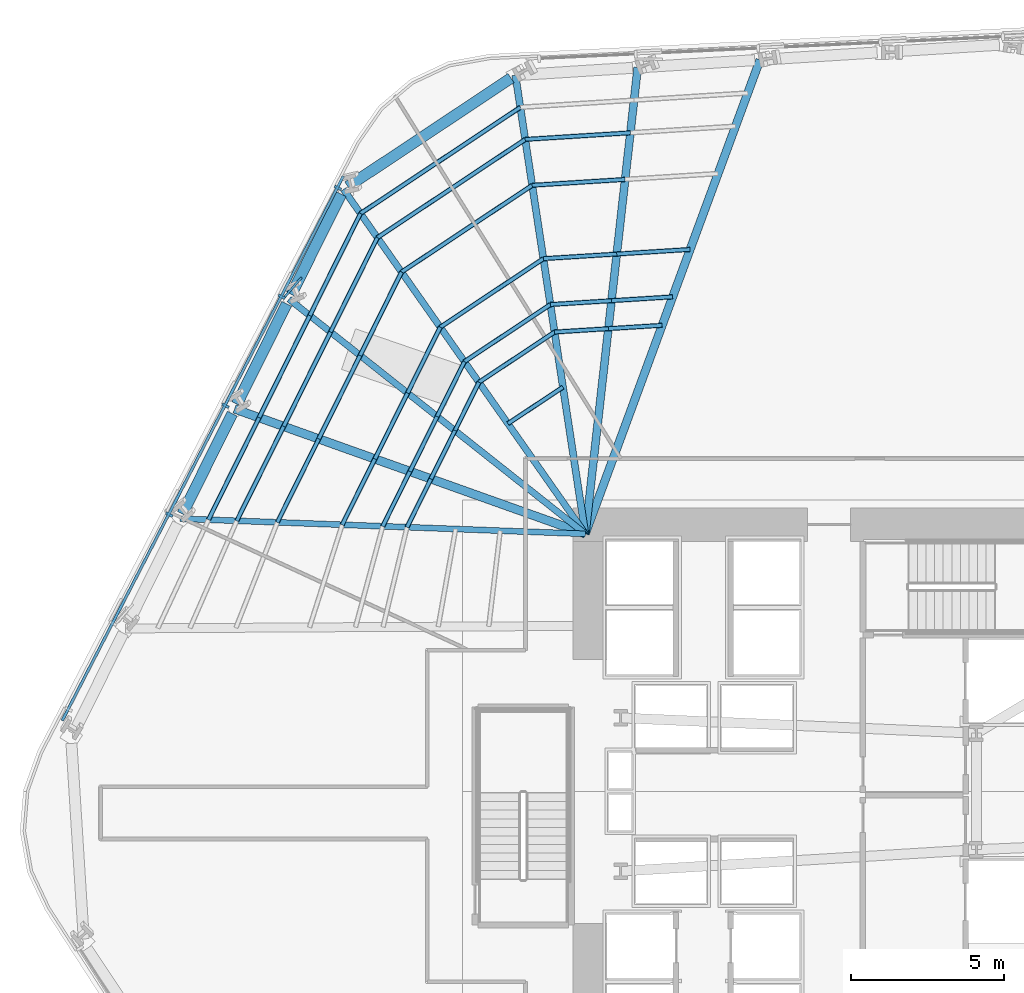
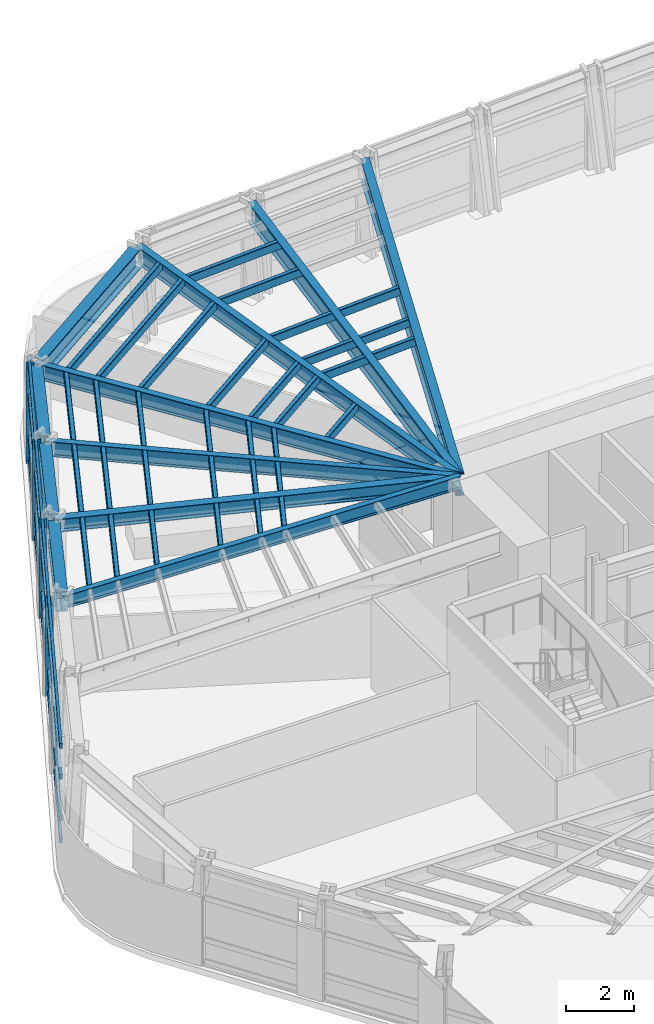
# One storey, part 5 of 15: 42 members, 11 beams, 1 element without a shape of its own.
"""IFC4 building model written with IfcOpenShell, lengths in metres."""

from ifc_helpers import new_model, si_unit, direction, frame, origin, origin_2d, place, context, subcontext, project, spatial, rectangle, hollow_rectangle, i_section, extrude, material, layer, layer_set, material_profile, profile_set, type_object, element, aggregate, save


model = new_model("IFC4")

# Units and contexts
model_context = context("Model", 3, precision=1e-05, world=origin(), true_north=direction((0.0, 1.0)))
body_context = subcontext(model_context, "Body", "Model", "MODEL_VIEW")
ifc_project = project(units=[si_unit("LENGTHUNIT", "METRE"), si_unit("AREAUNIT", "SQUARE_METRE"), si_unit("VOLUMEUNIT", "CUBIC_METRE"), si_unit("PLANEANGLEUNIT", "RADIAN"), si_unit("MASSUNIT", "GRAM", prefix="KILO")], contexts=[model_context])

# Site, building, storey
site_placement = place(None, origin())
site = spatial("IfcSite", under=ifc_project, at=site_placement, CompositionType="ELEMENT")
building_placement = place(site_placement, origin())
building = spatial("IfcBuilding", under=site, at=building_placement, Name="Valkerne Bourse Tower", CompositionType="ELEMENT")
storey_placement = place(building_placement, frame((0.0, 0.0, 35.39990234375)))
storey = spatial("IfcBuildingStorey", under=building, at=storey_placement, Name="L08", CompositionType="ELEMENT", Elevation=35.39990234375)

# Beams
ifc_material_1 = material(Name="Steel ASTM A992", Category="steel")
ifc_material_profile_1 = material_profile(ifc_material_1, i_section(OverallWidth=0.1904296875, OverallDepth=0.457275390625, WebThickness=0.009033203125, FlangeThickness=0.014404296875, FilletRadius=0.01513671875, at=origin_2d()), Name="W18X50")
ifc_profile_set_1 = profile_set([ifc_material_profile_1], Name="Steel ASTM A992")
beam_type_1 = type_object("IfcBeamType", Name="BM-W18X50", PredefinedType="JOIST", material=ifc_profile_set_1)
beam_1_placement = place(storey_placement, frame((24.3857421875, 35.89599609375, 3.3515625), z_axis=(0.999296041967, -0.037515603541, 0.0), x_axis=(0.037515603541, 0.999296041967, 0.0)))
element("IfcBeam", 1, at=beam_1_placement, inside=storey, type_object=beam_type_1, Name="L08 Radial Composite Floor Beam 15", PredefinedType="JOIST", context=body_context, shape_type="SweptSolid", body=[
    extrude(i_section(OverallWidth=0.1904296875, OverallDepth=0.457275390625, WebThickness=0.009033203125, FlangeThickness=0.014404296875, FilletRadius=0.01513671875, at=origin_2d()), origin(), (0.0, 0.0, 1.0), 13.2236328125),
])
ifc_material_profile_2 = material_profile(ifc_material_1, i_section(OverallWidth=0.279296875, OverallDepth=0.46240234375, WebThickness=0.0107421875, FlangeThickness=0.017333984375, FilletRadius=0.017822265625, at=origin_2d()), Name="W18X76")
ifc_profile_set_2 = profile_set([ifc_material_profile_2], Name="Steel ASTM A992")
beam_type_2 = type_object("IfcBeamType", Name="BM-W18X76", PredefinedType="BEAM", material=ifc_profile_set_2)
beam_2_placement = place(storey_placement, frame((26.16259765625, 39.47509765625, 3.348876953125), z_axis=(0.941992764496, -0.335633180178, 0.0), x_axis=(0.335633180178, 0.941992764496, 0.0)))
element("IfcBeam", 2, at=beam_2_placement, inside=storey, type_object=beam_type_2, Name="L08 Radial Composite Floor Beam 14", PredefinedType="BEAM", context=body_context, shape_type="SweptSolid", body=[
    extrude(i_section(OverallWidth=0.279296875, OverallDepth=0.46240234375, WebThickness=0.0107421875, FlangeThickness=0.017333984375, FilletRadius=0.017822265625, at=origin_2d()), origin(), (0.0, 0.0, 1.0), 12.141845703125),
])
ifc_material_profile_3 = material_profile(ifc_material_1, i_section(OverallWidth=0.209228515625, OverallDepth=0.533447265625, WebThickness=0.01025390625, FlangeThickness=0.015625, FilletRadius=0.017822265625, at=origin_2d()), Name="W21X62")
ifc_profile_set_3 = profile_set([ifc_material_profile_3], Name="Steel ASTM A992")
beam_type_3 = type_object("IfcBeamType", Name="BM-W21X62", PredefinedType="JOIST", material=ifc_profile_set_3)
beam_3_placement = place(storey_placement, frame((27.939208984375, 43.054443359375, 3.3134765625), z_axis=(0.783795537412, -0.621018965517, 0.0), x_axis=(0.621018965517, 0.783795537412, 0.0)))
element("IfcBeam", 3, at=beam_3_placement, inside=storey, type_object=beam_type_3, Name="L08 Radial Composite Floor Beam 13", PredefinedType="JOIST", context=body_context, shape_type="SweptSolid", body=[
    extrude(i_section(OverallWidth=0.209228515625, OverallDepth=0.533447265625, WebThickness=0.01025390625, FlangeThickness=0.015625, FilletRadius=0.017822265625, at=origin_2d()), origin(), (0.0, 0.0, 1.0), 12.32568359375),
])
ifc_material_profile_4 = material_profile(ifc_material_1, i_section(OverallWidth=0.2138671875, OverallDepth=0.548583984375, WebThickness=0.0146484375, FlangeThickness=0.023681640625, FilletRadius=0.017822265625, at=origin_2d()), Name="W21X93")
ifc_profile_set_4 = profile_set([ifc_material_profile_4], Name="Steel ASTM A992")
beam_type_4 = type_object("IfcBeamType", Name="BM-W21X93", PredefinedType="BEAM", material=ifc_profile_set_4)
beam_4_placement = place(storey_placement, frame((29.716064453125, 46.6337890625, 3.305908203125), z_axis=(0.57445523294, -0.818536001254, 0.0), x_axis=(0.818536001254, 0.57445523294, 0.0)))
element("IfcBeam", 4, at=beam_4_placement, inside=storey, type_object=beam_type_4, Name="L08 Radial Composite Floor Beam 12", PredefinedType="BEAM", context=body_context, shape_type="SweptSolid", body=[
    extrude(i_section(OverallWidth=0.2138671875, OverallDepth=0.548583984375, WebThickness=0.0146484375, FlangeThickness=0.023681640625, FilletRadius=0.017822265625, at=origin_2d()), origin(), (0.0, 0.0, 1.0), 13.724365234375),
])
ifc_material_profile_5 = material_profile(ifc_material_1, i_section(OverallWidth=0.228271484375, OverallDepth=0.607177734375, WebThickness=0.01123046875, FlangeThickness=0.017333984375, FilletRadius=0.017822265625, at=origin_2d()), Name="W24X76")
ifc_profile_set_5 = profile_set([ifc_material_profile_5], Name="Steel ASTM A992")
beam_type_5 = type_object("IfcBeamType", Name="BM-W24X76", PredefinedType="JOIST", material=ifc_profile_set_5)
beam_5_placement = place(storey_placement, frame((35.32080078125, 50.357421875, 3.276611328125), z_axis=(0.150645642713, -0.988587826312, 0.0), x_axis=(0.988587826312, 0.150645642713, 0.0)))
element("IfcBeam", 5, at=beam_5_placement, inside=storey, type_object=beam_type_5, Name="L08 Radial Composite Floor Beam 11", PredefinedType="JOIST", context=body_context, shape_type="SweptSolid", body=[
    extrude(i_section(OverallWidth=0.228271484375, OverallDepth=0.607177734375, WebThickness=0.01123046875, FlangeThickness=0.017333984375, FilletRadius=0.017822265625, at=origin_2d()), origin(), (0.0, 0.0, 1.0), 15.130126953125),
])
ifc_material_profile_6 = material_profile(ifc_material_1, i_section(OverallWidth=0.255859375, OverallDepth=0.693359375, WebThickness=0.014404296875, FlangeThickness=0.023681640625, FilletRadius=0.02294921875, at=origin_2d()), Name="W27X114")
ifc_profile_set_6 = profile_set([ifc_material_profile_6], Name="Steel ASTM A992")
beam_type_6 = type_object("IfcBeamType", Name="BM-W27X114", PredefinedType="BEAM", material=ifc_profile_set_6)
beam_6_placement = place(storey_placement, frame((39.308837890625, 50.6083984375, 3.2333984375), z_axis=(-0.111651811967, -0.993747388869, 0.0), x_axis=(0.993747388869, -0.111651811967, 0.0)))
element("IfcBeam", 6, at=beam_6_placement, inside=storey, type_object=beam_type_6, Name="L08 Radial Composite Floor Beam 10", PredefinedType="BEAM", context=body_context, shape_type="SweptSolid", body=[
    extrude(i_section(OverallWidth=0.255859375, OverallDepth=0.693359375, WebThickness=0.014404296875, FlangeThickness=0.023681640625, FilletRadius=0.02294921875, at=origin_2d()), origin(), (0.0, 0.0, 1.0), 15.30419921875),
])
ifc_material_profile_7 = material_profile(ifc_material_1, i_section(OverallWidth=0.358154296875, OverallDepth=0.7060546875, WebThickness=0.018310546875, FlangeThickness=0.0302734375, FilletRadius=0.02294921875, at=origin_2d()), Name="W27X178")
ifc_profile_set_7 = profile_set([ifc_material_profile_7], Name="Steel ASTM A992")
beam_type_7 = type_object("IfcBeamType", Name="BM-W27X178", PredefinedType="SPANDREL", material=ifc_profile_set_7)
beam_7_placement = place(storey_placement, frame((35.17919921875, 50.263427734375, 3.22705078125), z_axis=(-0.832919341556, -0.55339440769, 0.0), x_axis=(0.55339440769, -0.832919341556, 0.0)))
element("IfcBeam", 7, at=beam_7_placement, inside=storey, type_object=beam_type_7, Name="L08 Hexagonal Spandrel Ring Beam 11", PredefinedType="SPANDREL", context=body_context, shape_type="SweptSolid", body=[
    extrude(i_section(OverallWidth=0.358154296875, OverallDepth=0.7060546875, WebThickness=0.018310546875, FlangeThickness=0.0302734375, FilletRadius=0.02294921875, at=origin_2d()), origin(), (0.0, 0.0, 1.0), 6.388916015625),
])
for number, where, z_axis, x_axis, name in (
    (8, (29.640380859375, 46.4814453125, 3.22705078125), (-0.444620658379, -0.895718968284, 0.0), (0.895718968284, -0.444620658379, 0.0), "L08 Hexagonal Spandrel Ring Beam 12"),
    (9, (27.863525390625, 42.902099609375, 3.22705078125), (-0.444620658379, -0.895718968284, 0.0), (0.895718968284, -0.444620658379, 0.0), "L08 Hexagonal Spandrel Ring Beam 13"),
):
    element("IfcBeam", number, at=place(storey_placement, frame(where, z_axis=z_axis, x_axis=x_axis)), inside=storey, type_object=beam_type_7, Name=name, PredefinedType="SPANDREL", context=body_context, shape_type="SweptSolid", body=[
        extrude(i_section(OverallWidth=0.358154296875, OverallDepth=0.7060546875, WebThickness=0.018310546875, FlangeThickness=0.0302734375, FilletRadius=0.02294921875, at=origin_2d()), origin(), (0.0, 0.0, 1.0), 3.656005859375),
    ])
beam_8_placement = place(storey_placement, frame((26.0869140625, 39.322998046875, 3.22705078125), z_axis=(-0.444647638674, -0.895705575187, 0.0), x_axis=(0.895705575187, -0.444647638674, 0.0)))
element("IfcBeam", 10, at=beam_8_placement, inside=storey, type_object=beam_type_7, Name="L08 Hexagonal Spandrel Ring Beam 14", PredefinedType="SPANDREL", context=body_context, shape_type="SweptSolid", body=[
    extrude(i_section(OverallWidth=0.358154296875, OverallDepth=0.7060546875, WebThickness=0.018310546875, FlangeThickness=0.0302734375, FilletRadius=0.02294921875, at=origin_2d()), origin(), (0.0, 0.0, 1.0), 3.65625),
])
ifc_material_profile_8 = material_profile(ifc_material_1, i_section(OverallWidth=0.26806640625, OverallDepth=0.76953125, WebThickness=0.015625, FlangeThickness=0.025390625, FilletRadius=0.025390625, at=origin_2d()), Name="W30X132")
ifc_profile_set_8 = profile_set([ifc_material_profile_8], Name="Steel ASTM A992")
beam_type_8 = type_object("IfcBeamType", Name="BM-W30X132", PredefinedType="BEAM", material=ifc_profile_set_8)
beam_9_placement = place(storey_placement, frame((43.296875, 50.859375, 3.1953125), z_axis=(-0.345768534294, -0.93831983923, 0.0), x_axis=(0.93831983923, -0.345768534294, 0.0)))
element("IfcBeam", 11, at=beam_9_placement, inside=storey, type_object=beam_type_8, Name="L08 Radial Composite Floor Beam 09", PredefinedType="BEAM", context=body_context, shape_type="SweptSolid", body=[
    extrude(i_section(OverallWidth=0.26806640625, OverallDepth=0.76953125, WebThickness=0.015625, FlangeThickness=0.025390625, FilletRadius=0.025390625, at=origin_2d()), origin(), (0.0, 0.0, 1.0), 16.4755859375),
])

# Curtain wall, members
ifc_material_2 = material(Name="Aluminium AA 6063-T6", Category="aluminium")
ifc_layer = layer(ifc_material_2, 0.22509765625)
ifc_layer_set = layer_set([ifc_layer], Name="Aluminium AA 6063-T6")
curtain_wall_type = type_object("IfcCurtainWallType", Name="CW-01", PredefinedType="NOTDEFINED", material=ifc_layer_set)
curtain_wall_placement = place(storey_placement, origin())
curtain_wall = element("IfcCurtainWall", 12, at=curtain_wall_placement, inside=storey, type_object=curtain_wall_type, Name="L08 Hexagonal Stick Curtain Wall Face 3", PredefinedType="NOTDEFINED")
ifc_material_profile_9 = material_profile(ifc_material_2, rectangle(XDim=0.090087890625, YDim=0.239990234375, at=origin_2d()), Name="CWM-90X240")
ifc_profile_set_9 = profile_set([ifc_material_profile_9], Name="Aluminium AA 6063-T6")
member_type_1 = type_object("IfcMemberType", Name="CW-MUL-240X90", PredefinedType="MULLION", material=ifc_profile_set_9)
member_1_placement = place(storey_placement, frame((29.53173828125, 46.682373046875, 0.0), z_axis=(0.0, 0.0, 1.0), x_axis=(-0.458658218467, -0.888612760786, 0.0)))
member_1 = element("IfcMember", 13, at=member_1_placement, type_object=member_type_1, Name="CW-L08-F3 Jamb Mullion 00A", PredefinedType="MULLION", context=body_context, shape_type="SweptSolid", body=[
    extrude(rectangle(XDim=0.090087890625, YDim=0.239990234375, at=origin_2d()), origin(), (0.0, 0.0, 1.0), 3.580078125),
])
member_2_placement = place(storey_placement, frame((27.698974609375, 43.13134765625, 0.0), z_axis=(0.0, 0.0, 1.0), x_axis=(-0.458638457578, -0.888622960108, 0.0)))
member_2 = element("IfcMember", 14, at=member_2_placement, type_object=member_type_1, Name="CW-L08-F3 Jamb Mullion 01A", PredefinedType="MULLION", context=body_context, shape_type="SweptSolid", body=[
    extrude(rectangle(XDim=0.090087890625, YDim=0.239990234375, at=origin_2d()), origin(), (0.0, 0.0, 1.0), 3.580078125),
])
member_3_placement = place(storey_placement, frame((25.8662109375, 39.58056640625, 0.0), z_axis=(0.0, 0.0, 1.0), x_axis=(-0.458658218467, -0.888612760786, 0.0)))
member_3 = element("IfcMember", 15, at=member_3_placement, type_object=member_type_1, Name="CW-L08-F3 Jamb Mullion 02A", PredefinedType="MULLION", context=body_context, shape_type="SweptSolid", body=[
    extrude(rectangle(XDim=0.090087890625, YDim=0.239990234375, at=origin_2d()), origin(), (0.0, 0.0, 1.0), 3.580078125),
])
member_4_placement = place(storey_placement, frame((24.033447265625, 36.029541015625, 0.0), z_axis=(0.0, 0.0, 1.0), x_axis=(-0.458658218467, -0.888612760786, 0.0)))
member_4 = element("IfcMember", 16, at=member_4_placement, type_object=member_type_1, Name="CW-L08-F3 Jamb Mullion 03A", PredefinedType="MULLION", context=body_context, shape_type="SweptSolid", body=[
    extrude(rectangle(XDim=0.090087890625, YDim=0.239990234375, at=origin_2d()), origin(), (0.0, 0.0, 1.0), 3.580078125),
])
ifc_material_profile_10 = material_profile(ifc_material_2, rectangle(XDim=0.090087890625, YDim=0.179931640625, at=origin_2d()), Name="CWT-90X180")
ifc_profile_set_10 = profile_set([ifc_material_profile_10], Name="Aluminium AA 6063-T6")
member_type_2 = type_object("IfcMemberType", Name="CW-TRN-180X90", PredefinedType="USERDEFINED", material=ifc_profile_set_10)
member_5_placement = place(storey_placement, frame((29.70654296875, 47.064697265625, 0.1201171875), z_axis=(-0.45865319122, -0.888615355586, 0.0), x_axis=(0.888615355586, -0.45865319122, 0.0)))
member_5 = element("IfcMember", 17, at=member_5_placement, type_object=member_type_2, Name="CW-L08-F3 Continuous Face Transom 1", ObjectType="TRANSOM", PredefinedType="USERDEFINED", context=body_context, shape_type="SweptSolid", body=[
    extrude(rectangle(XDim=0.090087890625, YDim=0.179931640625, at=origin_2d()), origin(), (0.0, 0.0, 1.0), 19.979736328125),
])
member_6_placement = place(storey_placement, frame((29.70654296875, 47.064697265625, 0.900146484375), z_axis=(-0.45865319122, -0.888615355586, 0.0), x_axis=(0.888615355586, -0.45865319122, 0.0)))
member_6 = element("IfcMember", 18, at=member_6_placement, type_object=member_type_2, Name="CW-L08-F3 Continuous Face Transom 2", ObjectType="TRANSOM", PredefinedType="USERDEFINED", context=body_context, shape_type="SweptSolid", body=[
    extrude(rectangle(XDim=0.090087890625, YDim=0.179931640625, at=origin_2d()), origin(), (0.0, 0.0, 1.0), 19.979736328125),
])
member_7_placement = place(storey_placement, frame((29.70654296875, 47.064697265625, 2.400146484375), z_axis=(-0.45865319122, -0.888615355586, 0.0), x_axis=(0.888615355586, -0.45865319122, 0.0)))
member_7 = element("IfcMember", 19, at=member_7_placement, type_object=member_type_2, Name="CW-L08-F3 Continuous Face Transom 3", ObjectType="TRANSOM", PredefinedType="USERDEFINED", context=body_context, shape_type="SweptSolid", body=[
    extrude(rectangle(XDim=0.090087890625, YDim=0.179931640625, at=origin_2d()), origin(), (0.0, 0.0, 1.0), 19.979736328125),
])
member_8_placement = place(storey_placement, frame((29.70654296875, 47.064697265625, 3.5), z_axis=(-0.45865319122, -0.888615355586, 0.0), x_axis=(0.888615355586, -0.45865319122, 0.0)))
member_8 = element("IfcMember", 20, at=member_8_placement, type_object=member_type_2, Name="CW-L08-F3 Continuous Face Transom 4", ObjectType="TRANSOM", PredefinedType="USERDEFINED", context=body_context, shape_type="SweptSolid", body=[
    extrude(rectangle(XDim=0.090087890625, YDim=0.179931640625, at=origin_2d()), origin(), (0.0, 0.0, 1.0), 19.979736328125),
])
aggregate(curtain_wall, [member_5, member_6, member_7, member_8, member_1, member_2, member_3, member_4])

# Members
ifc_material_3 = material(Name="Bronze Anodised Aluminium AA 6063-T6", Category="aluminium")
ifc_material_profile_11 = material_profile(ifc_material_3, rectangle(XDim=0.070068359375, YDim=0.89990234375, at=origin_2d()), Name="FIN-70X900")
ifc_profile_set_11 = profile_set([ifc_material_profile_11], Name="Bronze Anodised Aluminium AA 6063-T6")
member_type_3 = type_object("IfcMemberType", Name="FIN-SOLAR-900", PredefinedType="USERDEFINED", material=ifc_profile_set_11)
member_9_placement = place(storey_placement, frame((28.051513671875, 43.422119140625, 0.004150390625), z_axis=(0.0, 0.0, 1.0), x_axis=(-0.756959307704, 0.653462016097, 0.0)))
element("IfcMember", 21, at=member_9_placement, inside=storey, type_object=member_type_3, Name="L08 Bronze Anodised Solar Fin F3-01", ObjectType="SOLAR_FIN", PredefinedType="USERDEFINED", context=body_context, shape_type="SweptSolid", body=[
    extrude(rectangle(XDim=0.070068359375, YDim=0.89990234375, at=origin_2d()), origin(), (0.0, 0.0, 1.0), 3.572021484375),
])
ifc_material_4 = material(Name="Steel ASTM A500 Grade C", Category="steel")
ifc_material_profile_12 = material_profile(ifc_material_4, hollow_rectangle(XDim=0.14990234375, YDim=0.300048828125, WallThickness=0.012451171875, OuterFilletRadius=0.02490234375, at=origin_2d()), Name="HSS300X150X12.5")
ifc_profile_set_12 = profile_set([ifc_material_profile_12], Name="Steel ASTM A500 Grade C")
member_type_4 = type_object("IfcMemberType", Name="MBR-HSS300X150X12.5", PredefinedType="PURLIN", material=ifc_profile_set_12)
member_10_placement = place(storey_placement, frame((36.87060546875, 40.186279296875, 3.420166015625), z_axis=(-0.832956294535, -0.55333878537, 0.0), x_axis=(0.55333878537, -0.832956294535, 0.0)))
element("IfcMember", 22, at=member_10_placement, inside=storey, type_object=member_type_4, Name="L08 Secondary Composite Floor Purlin I-11", PredefinedType="PURLIN", context=body_context, shape_type="SweptSolid", body=[
    extrude(hollow_rectangle(XDim=0.14990234375, YDim=0.300048828125, WallThickness=0.012451171875, OuterFilletRadius=0.02490234375, at=origin_2d()), origin(), (0.0, 0.0, 1.0), 2.153076171875),
])
member_11_placement = place(storey_placement, frame((40.106689453125, 42.2021484375, 3.420166015625), z_axis=(-0.998028734624, -0.062758623824, 0.0), x_axis=(0.062758623824, -0.998028734624, 0.0)))
element("IfcMember", 23, at=member_11_placement, inside=storey, type_object=member_type_4, Name="L08 Secondary Composite Floor Purlin K-09", PredefinedType="PURLIN", context=body_context, shape_type="SweptSolid", body=[
    extrude(hollow_rectangle(XDim=0.14990234375, YDim=0.300048828125, WallThickness=0.012451171875, OuterFilletRadius=0.02490234375, at=origin_2d()), origin(), (0.0, 0.0, 1.0), 1.75830078125),
])
member_12_placement = place(storey_placement, frame((38.351806640625, 42.091796875, 3.420166015625), z_axis=(-0.99801947909, -0.062905638518, 0.0), x_axis=(0.062905638518, -0.99801947909, 0.0)))
element("IfcMember", 24, at=member_12_placement, inside=storey, type_object=member_type_4, Name="L08 Secondary Composite Floor Purlin K-10", PredefinedType="PURLIN", context=body_context, shape_type="SweptSolid", body=[
    extrude(hollow_rectangle(XDim=0.14990234375, YDim=0.300048828125, WallThickness=0.012451171875, OuterFilletRadius=0.02490234375, at=origin_2d()), origin(), (0.0, 0.0, 1.0), 1.758056640625),
])
member_13_placement = place(storey_placement, frame((36.59716796875, 41.981201171875, 3.420166015625), z_axis=(-0.832924598901, -0.553386494726, 0.0), x_axis=(0.553386494726, -0.832924598901, 0.0)))
element("IfcMember", 25, at=member_13_placement, inside=storey, type_object=member_type_4, Name="L08 Secondary Composite Floor Purlin K-11", PredefinedType="PURLIN", context=body_context, shape_type="SweptSolid", body=[
    extrude(hollow_rectangle(XDim=0.14990234375, YDim=0.300048828125, WallThickness=0.012451171875, OuterFilletRadius=0.02490234375, at=origin_2d()), origin(), (0.0, 0.0, 1.0), 2.960693359375),
])
for number, where, z_axis, x_axis, name in (
    (26, (34.131103515625, 40.3427734375, 3.420166015625), (-0.44476799327, -0.895645818481, 0.0), (0.895645818481, -0.44476799327, 0.0), "L08 Secondary Composite Floor Purlin K-12"),
    (27, (33.34912109375, 38.76806640625, 3.420166015625), (-0.444601289794, -0.89572858228, 0.0), (0.89572858228, -0.444601289794, 0.0), "L08 Secondary Composite Floor Purlin K-13"),
    (28, (32.5673828125, 37.193115234375, 3.420166015625), (-0.444601289794, -0.89572858228, 0.0), (0.89572858228, -0.444601289794, 0.0), "L08 Secondary Composite Floor Purlin K-14"),
):
    element("IfcMember", number, at=place(storey_placement, frame(where, z_axis=z_axis, x_axis=x_axis)), inside=storey, type_object=member_type_4, Name=name, PredefinedType="PURLIN", context=body_context, shape_type="SweptSolid", body=[
        extrude(hollow_rectangle(XDim=0.14990234375, YDim=0.300048828125, WallThickness=0.012451171875, OuterFilletRadius=0.02490234375, at=origin_2d()), origin(), (0.0, 0.0, 1.0), 1.75830078125),
    ])
member_14_placement = place(storey_placement, frame((40.448486328125, 43.129638671875, 3.420166015625), z_axis=(-0.998025863102, -0.062804271992, 0.0), x_axis=(0.062804271992, -0.998025863102, 0.0)))
element("IfcMember", 29, at=member_14_placement, inside=storey, type_object=member_type_4, Name="L08 Secondary Composite Floor Purlin M-09", PredefinedType="PURLIN", context=body_context, shape_type="SweptSolid", body=[
    extrude(hollow_rectangle(XDim=0.14990234375, YDim=0.300048828125, WallThickness=0.012451171875, OuterFilletRadius=0.02490234375, at=origin_2d()), origin(), (0.0, 0.0, 1.0), 1.998046875),
])
member_15_placement = place(storey_placement, frame((38.454345703125, 43.004150390625, 3.420166015625), z_axis=(-0.998025381061, -0.06281193166, 0.0), x_axis=(0.06281193166, -0.998025381061, 0.0)))
element("IfcMember", 30, at=member_15_placement, inside=storey, type_object=member_type_4, Name="L08 Secondary Composite Floor Purlin M-10", PredefinedType="PURLIN", context=body_context, shape_type="SweptSolid", body=[
    extrude(hollow_rectangle(XDim=0.14990234375, YDim=0.300048828125, WallThickness=0.012451171875, OuterFilletRadius=0.02490234375, at=origin_2d()), origin(), (0.0, 0.0, 1.0), 1.997802734375),
])
member_16_placement = place(storey_placement, frame((36.46044921875, 42.878662109375, 3.420166015625), z_axis=(-0.832942290026, -0.553359866168, 0.0), x_axis=(0.553359866168, -0.832942290026, 0.0)))
element("IfcMember", 31, at=member_16_placement, inside=storey, type_object=member_type_4, Name="L08 Secondary Composite Floor Purlin M-11", PredefinedType="PURLIN", context=body_context, shape_type="SweptSolid", body=[
    extrude(hollow_rectangle(XDim=0.14990234375, YDim=0.300048828125, WallThickness=0.012451171875, OuterFilletRadius=0.02490234375, at=origin_2d()), origin(), (0.0, 0.0, 1.0), 3.364501953125),
])
for number, where, z_axis, x_axis, name in (
    (32, (33.657958984375, 41.016845703125, 3.420166015625), (-0.444670119474, -0.89569441488, 0.0), (0.89569441488, -0.444670119474, 0.0), "L08 Secondary Composite Floor Purlin M-12"),
    (33, (32.76953125, 39.227294921875, 3.420166015625), (-0.444523418702, -0.895767229935, 0.0), (0.895767229935, -0.444523418702, 0.0), "L08 Secondary Composite Floor Purlin M-13"),
    (34, (31.88134765625, 37.4375, 3.420166015625), (-0.444670119474, -0.89569441488, 0.0), (0.89569441488, -0.444670119474, 0.0), "L08 Secondary Composite Floor Purlin M-14"),
):
    element("IfcMember", number, at=place(storey_placement, frame(where, z_axis=z_axis, x_axis=x_axis)), inside=storey, type_object=member_type_4, Name=name, PredefinedType="PURLIN", context=body_context, shape_type="SweptSolid", body=[
        extrude(hollow_rectangle(XDim=0.14990234375, YDim=0.300048828125, WallThickness=0.012451171875, OuterFilletRadius=0.02490234375, at=origin_2d()), origin(), (0.0, 0.0, 1.0), 1.998046875),
    ])
member_17_placement = place(storey_placement, frame((38.898681640625, 46.95849609375, 3.420166015625), z_axis=(-0.998022119267, -0.062863737194, 0.0), x_axis=(0.062863737194, -0.998022119267, 0.0)))
element("IfcMember", 35, at=member_17_placement, inside=storey, type_object=member_type_4, Name="L08 Secondary Composite Floor Purlin O-10", PredefinedType="PURLIN", context=body_context, shape_type="SweptSolid", body=[
    extrude(hollow_rectangle(XDim=0.14990234375, YDim=0.300048828125, WallThickness=0.012451171875, OuterFilletRadius=0.02490234375, at=origin_2d()), origin(), (0.0, 0.0, 1.0), 3.037109375),
])
member_18_placement = place(storey_placement, frame((35.86767578125, 46.767578125, 3.420166015625), z_axis=(-0.832915939407, -0.553399528263, 0.0), x_axis=(0.553399528263, -0.832915939407, 0.0)))
element("IfcMember", 36, at=member_18_placement, inside=storey, type_object=member_type_4, Name="L08 Secondary Composite Floor Purlin O-11", PredefinedType="PURLIN", context=body_context, shape_type="SweptSolid", body=[
    extrude(hollow_rectangle(XDim=0.14990234375, YDim=0.300048828125, WallThickness=0.012451171875, OuterFilletRadius=0.02490234375, at=origin_2d()), origin(), (0.0, 0.0, 1.0), 5.114013671875),
])
member_19_placement = place(storey_placement, frame((31.608154296875, 43.9375, 3.420166015625), z_axis=(-0.444639253272, -0.895709737833, 0.0), x_axis=(0.895709737833, -0.444639253272, 0.0)))
element("IfcMember", 37, at=member_19_placement, inside=storey, type_object=member_type_4, Name="L08 Secondary Composite Floor Purlin O-12", PredefinedType="PURLIN", context=body_context, shape_type="SweptSolid", body=[
    extrude(hollow_rectangle(XDim=0.14990234375, YDim=0.300048828125, WallThickness=0.012451171875, OuterFilletRadius=0.02490234375, at=origin_2d()), origin(), (0.0, 0.0, 1.0), 3.036865234375),
])
member_20_placement = place(storey_placement, frame((30.2578125, 41.21728515625, 3.420166015625), z_axis=(-0.44467127219, -0.89569384261, 0.0), x_axis=(0.89569384261, -0.44467127219, 0.0)))
element("IfcMember", 38, at=member_20_placement, inside=storey, type_object=member_type_4, Name="L08 Secondary Composite Floor Purlin O-13", PredefinedType="PURLIN", context=body_context, shape_type="SweptSolid", body=[
    extrude(hollow_rectangle(XDim=0.14990234375, YDim=0.300048828125, WallThickness=0.012451171875, OuterFilletRadius=0.02490234375, at=origin_2d()), origin(), (0.0, 0.0, 1.0), 3.03662109375),
])
member_21_placement = place(storey_placement, frame((28.907470703125, 38.497314453125, 3.420166015625), z_axis=(-0.444607238396, -0.895725629624, 0.0), x_axis=(0.895725629624, -0.444607238396, 0.0)))
element("IfcMember", 39, at=member_21_placement, inside=storey, type_object=member_type_4, Name="L08 Secondary Composite Floor Purlin O-14", PredefinedType="PURLIN", context=body_context, shape_type="SweptSolid", body=[
    extrude(hollow_rectangle(XDim=0.14990234375, YDim=0.300048828125, WallThickness=0.012451171875, OuterFilletRadius=0.02490234375, at=origin_2d()), origin(), (0.0, 0.0, 1.0), 3.037109375),
])
for number, where, z_axis, x_axis, name in (
    (40, (41.01806640625, 44.675537109375, 3.420166015625), (-0.998024345287, -0.062828387006, 0.0), (0.062828387006, -0.998024345287, 0.0), "L08 Secondary Composite Floor Purlin Z-09"),
    (41, (38.625244140625, 44.52490234375, 3.420166015625), (-0.998030725276, -0.062726959164, 0.0), (0.062726959164, -0.998030725276, 0.0), "L08 Secondary Composite Floor Purlin Z-10"),
):
    element("IfcMember", number, at=place(storey_placement, frame(where, z_axis=z_axis, x_axis=x_axis)), inside=storey, type_object=member_type_4, Name=name, PredefinedType="PURLIN", context=body_context, shape_type="SweptSolid", body=[
        extrude(hollow_rectangle(XDim=0.14990234375, YDim=0.300048828125, WallThickness=0.012451171875, OuterFilletRadius=0.02490234375, at=origin_2d()), origin(), (0.0, 0.0, 1.0), 2.3974609375),
    ])
member_22_placement = place(storey_placement, frame((36.232421875, 44.37451171875, 3.420166015625), z_axis=(-0.832905178147, -0.553415724583, 0.0), x_axis=(0.553415724583, -0.832905178147, 0.0)))
element("IfcMember", 42, at=member_22_placement, inside=storey, type_object=member_type_4, Name="L08 Secondary Composite Floor Purlin Z-11", PredefinedType="PURLIN", context=body_context, shape_type="SweptSolid", body=[
    extrude(hollow_rectangle(XDim=0.14990234375, YDim=0.300048828125, WallThickness=0.012451171875, OuterFilletRadius=0.02490234375, at=origin_2d()), origin(), (0.0, 0.0, 1.0), 4.037353515625),
])
for number, where, z_axis, x_axis, name in (
    (43, (32.86962890625, 42.14013671875, 3.420166015625), (-0.444686458211, -0.89568630328, 0.0), (0.89568630328, -0.444686458211, 0.0), "L08 Secondary Composite Floor Purlin Z-12"),
    (44, (31.803466796875, 39.99267578125, 3.420166015625), (-0.444604760089, -0.895726859766, 0.0), (0.895726859766, -0.444604760089, 0.0), "L08 Secondary Composite Floor Purlin Z-13"),
):
    element("IfcMember", number, at=place(storey_placement, frame(where, z_axis=z_axis, x_axis=x_axis)), inside=storey, type_object=member_type_4, Name=name, PredefinedType="PURLIN", context=body_context, shape_type="SweptSolid", body=[
        extrude(hollow_rectangle(XDim=0.14990234375, YDim=0.300048828125, WallThickness=0.012451171875, OuterFilletRadius=0.02490234375, at=origin_2d()), origin(), (0.0, 0.0, 1.0), 2.3974609375),
    ])
member_23_placement = place(storey_placement, frame((30.737548828125, 37.84521484375, 3.420166015625), z_axis=(-0.444645903079, -0.895706436772, 0.0), x_axis=(0.895706436772, -0.444645903079, 0.0)))
element("IfcMember", 45, at=member_23_placement, inside=storey, type_object=member_type_4, Name="L08 Secondary Composite Floor Purlin Z-14", PredefinedType="PURLIN", context=body_context, shape_type="SweptSolid", body=[
    extrude(hollow_rectangle(XDim=0.14990234375, YDim=0.300048828125, WallThickness=0.012451171875, OuterFilletRadius=0.02490234375, at=origin_2d()), origin(), (0.0, 0.0, 1.0), 2.397705078125),
])
member_24_placement = place(storey_placement, frame((39.069580078125, 48.479248046875, 3.420166015625), z_axis=(-0.99802595033, -0.062802885827, 0.0), x_axis=(0.062802885827, -0.99802595033, 0.0)))
element("IfcMember", 46, at=member_24_placement, inside=storey, type_object=member_type_4, Name="L08 Secondary Composite Floor Purlin T-10", PredefinedType="PURLIN", context=body_context, shape_type="SweptSolid", body=[
    extrude(hollow_rectangle(XDim=0.14990234375, YDim=0.300048828125, WallThickness=0.012451171875, OuterFilletRadius=0.02490234375, at=origin_2d()), origin(), (0.0, 0.0, 1.0), 3.4365234375),
])
member_25_placement = place(storey_placement, frame((35.639892578125, 48.263427734375, 3.420166015625), z_axis=(-0.832925476765, -0.553385173415, 0.0), x_axis=(0.553385173415, -0.832925476765, 0.0)))
element("IfcMember", 47, at=member_25_placement, inside=storey, type_object=member_type_4, Name="L08 Secondary Composite Floor Purlin T-11", PredefinedType="PURLIN", context=body_context, shape_type="SweptSolid", body=[
    extrude(hollow_rectangle(XDim=0.14990234375, YDim=0.300048828125, WallThickness=0.012451171875, OuterFilletRadius=0.02490234375, at=origin_2d()), origin(), (0.0, 0.0, 1.0), 5.786865234375),
])
for number, where, z_axis, x_axis, name in (
    (48, (30.81982421875, 45.06103515625, 3.420166015625), (-0.444654241654, -0.895702297295, 0.0), (0.895702297295, -0.444654241654, 0.0), "L08 Secondary Composite Floor Purlin T-12"),
    (49, (29.291748046875, 41.98291015625, 3.420166015625), (-0.444597242889, -0.895730590979, 0.0), (0.895730590979, -0.444597242889, 0.0), "L08 Secondary Composite Floor Purlin T-13"),
):
    element("IfcMember", number, at=place(storey_placement, frame(where, z_axis=z_axis, x_axis=x_axis)), inside=storey, type_object=member_type_4, Name=name, PredefinedType="PURLIN", context=body_context, shape_type="SweptSolid", body=[
        extrude(hollow_rectangle(XDim=0.14990234375, YDim=0.300048828125, WallThickness=0.012451171875, OuterFilletRadius=0.02490234375, at=origin_2d()), origin(), (0.0, 0.0, 1.0), 3.4365234375),
    ])
member_26_placement = place(storey_placement, frame((27.763916015625, 38.90478515625, 3.420166015625), z_axis=(-0.444682940153, -0.895688049902, 0.0), x_axis=(0.895688049902, -0.444682940153, 0.0)))
element("IfcMember", 50, at=member_26_placement, inside=storey, type_object=member_type_4, Name="L08 Secondary Composite Floor Purlin T-14", PredefinedType="PURLIN", context=body_context, shape_type="SweptSolid", body=[
    extrude(hollow_rectangle(XDim=0.14990234375, YDim=0.300048828125, WallThickness=0.012451171875, OuterFilletRadius=0.02490234375, at=origin_2d()), origin(), (0.0, 0.0, 1.0), 3.436767578125),
])
member_27_placement = place(storey_placement, frame((35.480224609375, 49.310546875, 3.420166015625), z_axis=(-0.832919551927, -0.553394091058, 0.0), x_axis=(0.553394091058, -0.832919551927, 0.0)))
element("IfcMember", 51, at=member_27_placement, inside=storey, type_object=member_type_4, Name="L08 Secondary Composite Floor Purlin U-11", PredefinedType="PURLIN", context=body_context, shape_type="SweptSolid", body=[
    extrude(hollow_rectangle(XDim=0.14990234375, YDim=0.300048828125, WallThickness=0.012451171875, OuterFilletRadius=0.02490234375, at=origin_2d()), origin(), (0.0, 0.0, 1.0), 6.258056640625),
])
member_28_placement = place(storey_placement, frame((30.267822265625, 45.847412109375, 3.420166015625), z_axis=(-0.444636424372, -0.895711142122, 0.0), x_axis=(0.895711142122, -0.444636424372, 0.0)))
element("IfcMember", 52, at=member_28_placement, inside=storey, type_object=member_type_4, Name="L08 Secondary Composite Floor Purlin U-12", PredefinedType="PURLIN", context=body_context, shape_type="SweptSolid", body=[
    extrude(hollow_rectangle(XDim=0.14990234375, YDim=0.300048828125, WallThickness=0.012451171875, OuterFilletRadius=0.02490234375, at=origin_2d()), origin(), (0.0, 0.0, 1.0), 3.716064453125),
])
for number, where, z_axis, x_axis, name in (
    (53, (28.615478515625, 42.518798828125, 3.420166015625), (-0.444610260905, -0.895724129349, 0.0), (0.895724129349, -0.444610260905, 0.0), "L08 Secondary Composite Floor Purlin U-13"),
    (54, (26.963134765625, 39.18994140625, 3.420166015625), (-0.444610260905, -0.895724129349, 0.0), (0.895724129349, -0.444610260905, 0.0), "L08 Secondary Composite Floor Purlin U-14"),
):
    element("IfcMember", number, at=place(storey_placement, frame(where, z_axis=z_axis, x_axis=x_axis)), inside=storey, type_object=member_type_4, Name=name, PredefinedType="PURLIN", context=body_context, shape_type="SweptSolid", body=[
        extrude(hollow_rectangle(XDim=0.14990234375, YDim=0.300048828125, WallThickness=0.012451171875, OuterFilletRadius=0.02490234375, at=origin_2d()), origin(), (0.0, 0.0, 1.0), 3.71630859375),
    ])

save(model, "model.ifc")
